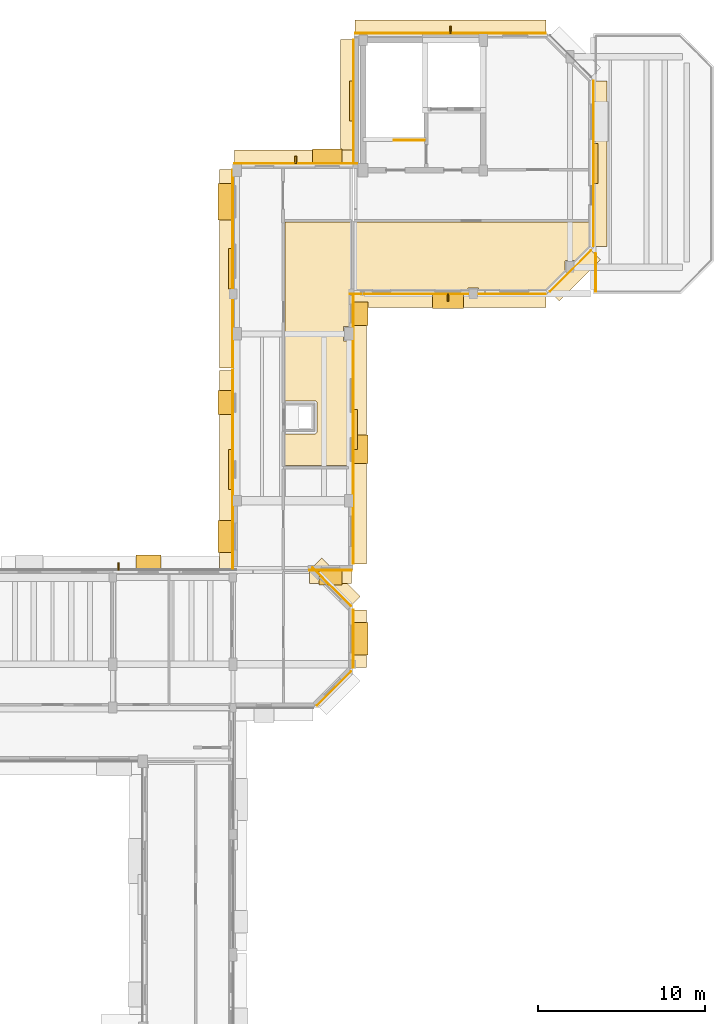
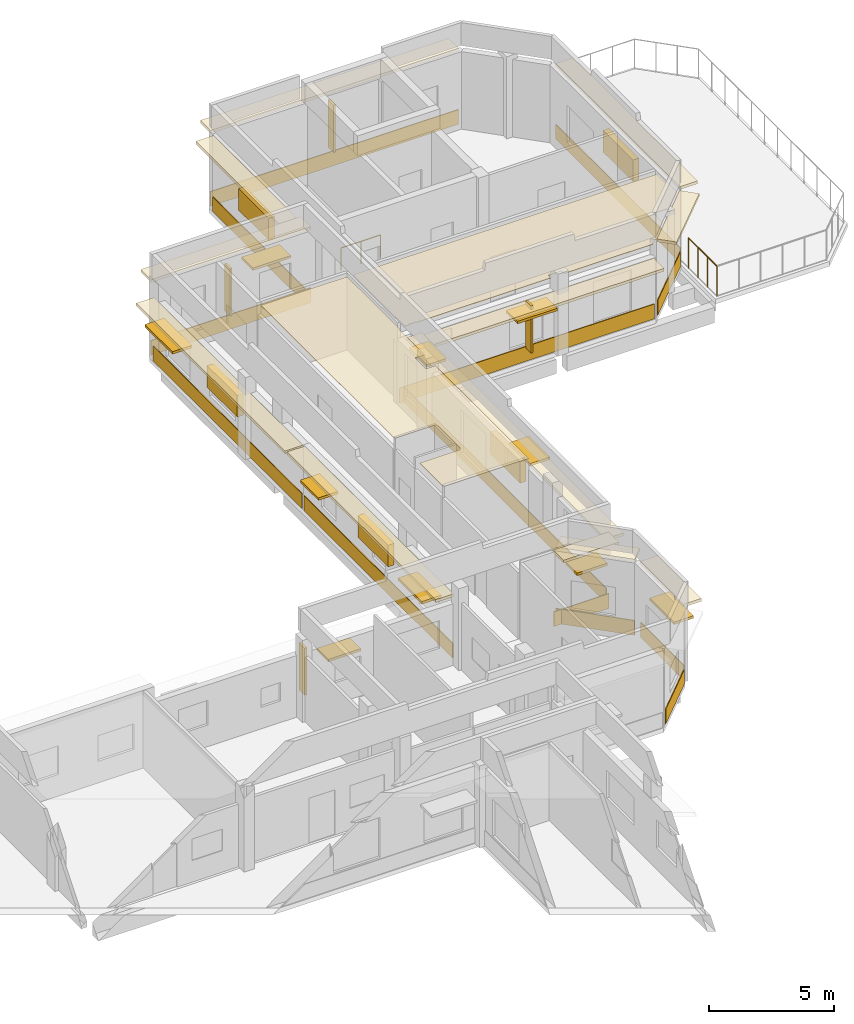
# One storey, part 16 of 17: 27 coverings, 19 shading devices, 2 railings.
"""IFC4 building model written with IfcOpenShell, lengths in metres."""

from ifc_helpers import new_model, si_unit, direction, frame, origin, origin_2d, place, context, subcontext, project, spatial, polyline, rectangle, circle, outline, extrude, material, layer, layer_set, type_object, element, save


model = new_model("IFC4")

# Units and contexts
model_context = context("Model", 3, precision=1e-05, world=origin(), true_north=direction((0.0, 1.0)))
body_context = subcontext(model_context, "Body", "Model", "MODEL_VIEW")
ifc_project = project(units=[si_unit("LENGTHUNIT", "METRE"), si_unit("AREAUNIT", "SQUARE_METRE"), si_unit("VOLUMEUNIT", "CUBIC_METRE"), si_unit("PLANEANGLEUNIT", "RADIAN"), si_unit("MASSUNIT", "GRAM", prefix="KILO")], contexts=[model_context])

# Site, building, storey
site_placement = place(None, origin())
site = spatial("IfcSite", under=ifc_project, at=site_placement, CompositionType="ELEMENT")
building_placement = place(site_placement, origin())
building = spatial("IfcBuilding", under=site, at=building_placement, Name="Kelanivale Promenade Academy", CompositionType="ELEMENT")
storey_placement = place(building_placement, frame((0.0, 0.0, 20.199951171875)))
storey = spatial("IfcBuildingStorey", under=building, at=storey_placement, Name="L05", CompositionType="ELEMENT", Elevation=20.199951171875)

# Coverings
ifc_material_1 = material(Name="Warm ivory Art Deco stucco frieze band 40 mm", Category="masonry")
ifc_layer_1 = layer(ifc_material_1, 0.0400390625)
ifc_layer_set_1 = layer_set([ifc_layer_1], Name="Warm ivory Art Deco stucco frieze band 40 mm")
covering_type_1 = type_object("IfcCoveringType", Name="COV-CLD2 Warm ivory Art Deco stucco frieze ba", PredefinedType="CLADDING", material=ifc_layer_set_1)
covering_1_placement = place(storey_placement, frame((121.656005859375, 72.743896484375, 0.06005859375), z_axis=(0.0, 0.0, 1.0), x_axis=(0.707106781187, 0.707106781187, 0.0)))
element("IfcCovering", 1, at=covering_1_placement, inside=storey, type_object=covering_type_1, Name="Art Deco ivory stucco sill frieze band", PredefinedType="CLADDING", context=body_context, shape_type="SweptSolid", body=[
    extrude(rectangle(XDim=2.865966796875, YDim=0.0400390625, at=origin_2d()), origin(), (0.0, 0.0, 1.0), 0.719970703125),
])
covering_2_placement = place(storey_placement, frame((123.199951171875, 75.72509765625, 3.6201171875), z_axis=(0.0, 0.0, 1.0), x_axis=(0.0, 1.0, 0.0)))
element("IfcCovering", 2, at=covering_2_placement, inside=storey, type_object=covering_type_1, Name="Art Deco projecting 820 mm streamline sunshade eyebrow ledge", PredefinedType="CLADDING", context=body_context, shape_type="SweptSolid", body=[
    extrude(rectangle(XDim=3.466064453125, YDim=0.820068359375, at=origin_2d()), origin(), (0.0, 0.0, 1.0), 0.139892578125),
])
covering_3_placement = place(storey_placement, frame((122.81494140625, 75.72509765625, 0.06005859375), z_axis=(0.0, 0.0, 1.0), x_axis=(0.0, 1.0, 0.0)))
element("IfcCovering", 3, at=covering_3_placement, inside=storey, type_object=covering_type_1, Name="Art Deco ivory stucco sill frieze band", PredefinedType="CLADDING", context=body_context, shape_type="SweptSolid", body=[
    extrude(rectangle(XDim=3.466064453125, YDim=0.0400390625, at=origin_2d()), origin(), (0.0, 0.0, 1.0), 0.719970703125),
])
covering_4_placement = place(storey_placement, frame((121.7880859375, 79.117919921875, 3.6201171875), z_axis=(0.0, 0.0, 1.0), x_axis=(-0.707106781187, 0.707106781187, 0.0)))
element("IfcCovering", 4, at=covering_4_placement, inside=storey, type_object=covering_type_1, Name="Art Deco projecting 820 mm streamline sunshade eyebrow ledge", PredefinedType="CLADDING", context=body_context, shape_type="SweptSolid", body=[
    extrude(rectangle(XDim=3.261962890625, YDim=0.820068359375, at=origin_2d()), origin(), (0.0, 0.0, 1.0), 0.139892578125),
])
covering_5_placement = place(storey_placement, frame((121.51611328125, 78.845947265625, 0.06005859375), z_axis=(0.0, 0.0, 1.0), x_axis=(-0.707106781187, 0.707106781187, 0.0)))
element("IfcCovering", 5, at=covering_5_placement, inside=storey, type_object=covering_type_1, Name="Art Deco ivory stucco sill frieze band", PredefinedType="CLADDING", context=body_context, shape_type="SweptSolid", body=[
    extrude(rectangle(XDim=3.261962890625, YDim=0.0400390625, at=origin_2d()), origin(), (0.0, 0.0, 1.0), 0.719970703125),
])
covering_6_placement = place(storey_placement, frame((121.447998046875, 79.449951171875, 3.6201171875), z_axis=(0.0, 0.0, 1.0), x_axis=(1.0, 0.0, 0.0)))
element("IfcCovering", 6, at=covering_6_placement, inside=storey, type_object=covering_type_1, Name="Art Deco projecting 820 mm streamline sunshade eyebrow ledge", PredefinedType="CLADDING", context=body_context, shape_type="SweptSolid", body=[
    extrude(rectangle(XDim=2.5439453125, YDim=0.820068359375, at=origin_2d()), origin(), (0.0, 0.0, 1.0), 0.139892578125),
])
covering_7_placement = place(storey_placement, frame((121.447998046875, 79.8349609375, 0.06005859375), z_axis=(0.0, 0.0, 1.0), x_axis=(1.0, 0.0, 0.0)))
element("IfcCovering", 7, at=covering_7_placement, inside=storey, type_object=covering_type_1, Name="Art Deco ivory stucco sill frieze band", PredefinedType="CLADDING", context=body_context, shape_type="SweptSolid", body=[
    extrude(rectangle(XDim=2.5439453125, YDim=0.0400390625, at=origin_2d()), origin(), (0.0, 0.0, 1.0), 0.719970703125),
])
covering_8_placement = place(storey_placement, frame((123.199951171875, 88.264892578125, 3.044921875), z_axis=(0.0, 0.0, 1.0), x_axis=(0.0, 1.0, 0.0)))
element("IfcCovering", 8, at=covering_8_placement, inside=storey, type_object=covering_type_1, Name="Art Deco projecting 820 mm streamline sunshade eyebrow ledge", PredefinedType="CLADDING", context=body_context, shape_type="SweptSolid", body=[
    extrude(rectangle(XDim=16.110107421875, YDim=0.820068359375, at=origin_2d()), origin(), (0.0, 0.0, 1.0), 0.139892578125),
])
covering_9_placement = place(storey_placement, frame((122.81494140625, 88.264892578125, 0.06005859375), z_axis=(0.0, 0.0, 1.0), x_axis=(0.0, 1.0, 0.0)))
element("IfcCovering", 9, at=covering_9_placement, inside=storey, type_object=covering_type_1, Name="Art Deco ivory stucco sill frieze band", PredefinedType="CLADDING", context=body_context, shape_type="SweptSolid", body=[
    extrude(rectangle(XDim=16.110107421875, YDim=0.0400390625, at=origin_2d()), origin(), (0.0, 0.0, 1.0), 0.719970703125),
])
covering_10_placement = place(storey_placement, frame((128.47998046875, 96.0, 2.84521484375), z_axis=(0.0, 0.0, 1.0), x_axis=(1.0, 0.0, 0.0)))
element("IfcCovering", 10, at=covering_10_placement, inside=storey, type_object=covering_type_1, Name="Art Deco projecting 820 mm streamline sunshade eyebrow ledge", PredefinedType="CLADDING", context=body_context, shape_type="SweptSolid", body=[
    extrude(rectangle(XDim=11.759033203125, YDim=0.820068359375, at=origin_2d()), origin(), (0.0, 0.0, 1.0), 0.139892578125),
])
covering_11_placement = place(storey_placement, frame((128.47998046875, 96.385009765625, 0.06005859375), z_axis=(0.0, 0.0, 1.0), x_axis=(1.0, 0.0, 0.0)))
element("IfcCovering", 11, at=covering_11_placement, inside=storey, type_object=covering_type_1, Name="Art Deco ivory stucco sill frieze band", PredefinedType="CLADDING", context=body_context, shape_type="SweptSolid", body=[
    extrude(rectangle(XDim=11.759033203125, YDim=0.0400390625, at=origin_2d()), origin(), (0.0, 0.0, 1.0), 0.719970703125),
])
covering_12_placement = place(storey_placement, frame((136.10302734375, 97.4970703125, 3.6201171875), z_axis=(0.0, 0.0, 1.0), x_axis=(0.707106781187, 0.707106781187, 0.0)))
element("IfcCovering", 12, at=covering_12_placement, inside=storey, type_object=covering_type_1, Name="Art Deco projecting 820 mm streamline sunshade eyebrow ledge", PredefinedType="CLADDING", context=body_context, shape_type="SweptSolid", body=[
    extrude(rectangle(XDim=3.5009765625, YDim=0.820068359375, at=origin_2d()), origin(), (0.0, 0.0, 1.0), 0.139892578125),
])
covering_13_placement = place(storey_placement, frame((135.8310546875, 97.76904296875, 0.06005859375), z_axis=(0.0, 0.0, 1.0), x_axis=(0.707106781187, 0.707106781187, 0.0)))
element("IfcCovering", 13, at=covering_13_placement, inside=storey, type_object=covering_type_1, Name="Art Deco ivory stucco sill frieze band", PredefinedType="CLADDING", context=body_context, shape_type="SweptSolid", body=[
    extrude(rectangle(XDim=3.5009765625, YDim=0.0400390625, at=origin_2d()), origin(), (0.0, 0.0, 1.0), 0.719970703125),
])
covering_14_placement = place(storey_placement, frame((137.60009765625, 104.199951171875, 3.6201171875), z_axis=(0.0, 0.0, 1.0), x_axis=(0.0, 1.0, 0.0)))
element("IfcCovering", 14, at=covering_14_placement, inside=storey, type_object=covering_type_1, Name="Art Deco projecting 820 mm streamline sunshade eyebrow ledge", PredefinedType="CLADDING", context=body_context, shape_type="SweptSolid", body=[
    extrude(rectangle(XDim=9.91796875, YDim=0.820068359375, at=origin_2d()), origin(), (0.0, 0.0, 1.0), 0.139892578125),
])
covering_15_placement = place(storey_placement, frame((137.215087890625, 104.199951171875, 0.06005859375), z_axis=(0.0, 0.0, 1.0), x_axis=(0.0, 1.0, 0.0)))
element("IfcCovering", 15, at=covering_15_placement, inside=storey, type_object=covering_type_1, Name="Art Deco ivory stucco sill frieze band", PredefinedType="CLADDING", context=body_context, shape_type="SweptSolid", body=[
    extrude(rectangle(XDim=9.91796875, YDim=0.0400390625, at=origin_2d()), origin(), (0.0, 0.0, 1.0), 0.719970703125),
])
covering_16_placement = place(storey_placement, frame((128.64404296875, 112.39990234375, 3.6201171875), z_axis=(0.0, 0.0, 1.0), x_axis=(-1.0, 0.0, 0.0)))
element("IfcCovering", 16, at=covering_16_placement, inside=storey, type_object=covering_type_1, Name="Art Deco projecting 820 mm streamline sunshade eyebrow ledge", PredefinedType="CLADDING", context=body_context, shape_type="SweptSolid", body=[
    extrude(rectangle(XDim=11.428955078125, YDim=0.820068359375, at=origin_2d()), origin(), (0.0, 0.0, 1.0), 0.139892578125),
])
covering_17_placement = place(storey_placement, frame((128.64404296875, 112.014892578125, 0.06005859375), z_axis=(0.0, 0.0, 1.0), x_axis=(-1.0, 0.0, 0.0)))
element("IfcCovering", 17, at=covering_17_placement, inside=storey, type_object=covering_type_1, Name="Art Deco ivory stucco sill frieze band", PredefinedType="CLADDING", context=body_context, shape_type="SweptSolid", body=[
    extrude(rectangle(XDim=11.428955078125, YDim=0.0400390625, at=origin_2d()), origin(), (0.0, 0.0, 1.0), 0.719970703125),
])
covering_18_placement = place(storey_placement, frame((122.449951171875, 107.9599609375, 3.6201171875), z_axis=(0.0, 0.0, 1.0), x_axis=(0.0, -1.0, 0.0)))
element("IfcCovering", 18, at=covering_18_placement, inside=storey, type_object=covering_type_1, Name="Art Deco projecting 820 mm streamline sunshade eyebrow ledge", PredefinedType="CLADDING", context=body_context, shape_type="SweptSolid", body=[
    extrude(rectangle(XDim=7.360107421875, YDim=0.820068359375, at=origin_2d()), origin(), (0.0, 0.0, 1.0), 0.139892578125),
])
covering_19_placement = place(storey_placement, frame((122.8349609375, 107.9599609375, 0.06005859375), z_axis=(0.0, 0.0, 1.0), x_axis=(0.0, -1.0, 0.0)))
element("IfcCovering", 19, at=covering_19_placement, inside=storey, type_object=covering_type_1, Name="Art Deco ivory stucco sill frieze band", PredefinedType="CLADDING", context=body_context, shape_type="SweptSolid", body=[
    extrude(rectangle(XDim=7.360107421875, YDim=0.0400390625, at=origin_2d()), origin(), (0.0, 0.0, 1.0), 0.719970703125),
])
covering_20_placement = place(storey_placement, frame((119.364990234375, 104.60009765625, 3.6201171875), z_axis=(0.0, 0.0, 1.0), x_axis=(-1.0, 0.0, 0.0)))
element("IfcCovering", 20, at=covering_20_placement, inside=storey, type_object=covering_type_1, Name="Art Deco projecting 820 mm streamline sunshade eyebrow ledge", PredefinedType="CLADDING", context=body_context, shape_type="SweptSolid", body=[
    extrude(rectangle(XDim=7.3701171875, YDim=0.820068359375, at=origin_2d()), origin(), (0.0, 0.0, 1.0), 0.139892578125),
])
covering_21_placement = place(storey_placement, frame((119.364990234375, 104.215087890625, 0.06005859375), z_axis=(0.0, 0.0, 1.0), x_axis=(-1.0, 0.0, 0.0)))
element("IfcCovering", 21, at=covering_21_placement, inside=storey, type_object=covering_type_1, Name="Art Deco ivory stucco sill frieze band", PredefinedType="CLADDING", context=body_context, shape_type="SweptSolid", body=[
    extrude(rectangle(XDim=7.3701171875, YDim=0.0400390625, at=origin_2d()), origin(), (0.0, 0.0, 1.0), 0.719970703125),
])
covering_22_placement = place(storey_placement, frame((115.199951171875, 97.903076171875, 2.9951171875), z_axis=(0.0, 0.0, 1.0), x_axis=(0.0, -1.0, 0.0)))
element("IfcCovering", 22, at=covering_22_placement, inside=storey, type_object=covering_type_1, Name="Art Deco projecting 820 mm streamline sunshade eyebrow ledge", PredefinedType="CLADDING", context=body_context, shape_type="SweptSolid", body=[
    extrude(rectangle(XDim=11.875, YDim=0.820068359375, at=origin_2d()), origin(), (0.0, 0.0, 1.0), 0.139892578125),
])
covering_23_placement = place(storey_placement, frame((115.5849609375, 97.903076171875, 0.06005859375), z_axis=(0.0, 0.0, 1.0), x_axis=(0.0, -1.0, 0.0)))
element("IfcCovering", 23, at=covering_23_placement, inside=storey, type_object=covering_type_1, Name="Art Deco ivory stucco sill frieze band", PredefinedType="CLADDING", context=body_context, shape_type="SweptSolid", body=[
    extrude(rectangle(XDim=11.875, YDim=0.0400390625, at=origin_2d()), origin(), (0.0, 0.0, 1.0), 0.719970703125),
])
covering_24_placement = place(storey_placement, frame((115.199951171875, 85.867919921875, 3.044921875), z_axis=(0.0, 0.0, 1.0), x_axis=(0.0, -1.0, 0.0)))
element("IfcCovering", 24, at=covering_24_placement, inside=storey, type_object=covering_type_1, Name="Art Deco projecting 820 mm streamline sunshade eyebrow ledge", PredefinedType="CLADDING", context=body_context, shape_type="SweptSolid", body=[
    extrude(rectangle(XDim=11.875, YDim=0.820068359375, at=origin_2d()), origin(), (0.0, 0.0, 1.0), 0.139892578125),
])
covering_25_placement = place(storey_placement, frame((115.5849609375, 85.867919921875, 0.06005859375), z_axis=(0.0, 0.0, 1.0), x_axis=(0.0, -1.0, 0.0)))
element("IfcCovering", 25, at=covering_25_placement, inside=storey, type_object=covering_type_1, Name="Art Deco ivory stucco sill frieze band", PredefinedType="CLADDING", context=body_context, shape_type="SweptSolid", body=[
    extrude(rectangle(XDim=11.875, YDim=0.0400390625, at=origin_2d()), origin(), (0.0, 0.0, 1.0), 0.719970703125),
])
ifc_material_2 = material(Name="Acoustic mineral-fibre ceiling tile 25 mm", Category="gypsum")
ifc_layer_2 = layer(ifc_material_2, 0.02490234375)
ifc_layer_set_2 = layer_set([ifc_layer_2], Name="Acoustic mineral-fibre ceiling tile 25 mm")
covering_type_2 = type_object("IfcCoveringType", Name="COV-CLG1 Acoustic mineral-fibre ceiling tile ", PredefinedType="CEILING", material=ifc_layer_set_2)
covering_26_placement = place(storey_placement, frame((0.0, 0.0, 3.550048828125)))
element("IfcCovering", 26, at=covering_26_placement, inside=storey, type_object=covering_type_2, Name="Research Instrument Studio acoustic suspended ceiling", PredefinedType="CEILING", context=body_context, shape_type="SweptSolid", body=[
    extrude(outline(polyline([(122.6640625, 96.423095703125), (122.666015625, 96.428955078125), (122.6708984375, 96.43994140625), (122.675048828125, 96.447998046875), (122.680908203125, 96.4580078125), (122.68701171875, 96.466064453125), (122.68994140625, 96.469970703125), (122.68994140625, 100.68994140625), (118.7099609375, 100.68994140625), (118.7099609375, 89.989990234375), (120.506103515625, 89.989990234375), (120.512939453125, 89.989990234375), (120.51904296875, 89.989013671875), (120.52490234375, 89.988037109375), (120.533935546875, 89.986083984375), (120.5419921875, 89.98291015625), (120.544921875, 89.98193359375), (120.548095703125, 89.98095703125), (120.552978515625, 89.97900390625), (120.55810546875, 89.97705078125), (120.56396484375, 89.97509765625), (120.569091796875, 89.971923828125), (120.573974609375, 89.968994140625), (120.5830078125, 89.9619140625), (120.587890625, 89.9580078125), (120.594970703125, 89.952880859375), (120.59912109375, 89.948974609375), (120.60302734375, 89.945068359375), (120.60791015625, 89.93798828125), (120.612060546875, 89.93310546875), (120.618896484375, 89.924072265625), (120.6220703125, 89.9189453125), (120.625, 89.9140625), (120.626953125, 89.907958984375), (120.62890625, 89.903076171875), (120.631103515625, 89.89794921875), (120.632080078125, 89.89501953125), (120.633056640625, 89.89208984375), (120.635986328125, 89.884033203125), (120.637939453125, 89.875), (120.638916015625, 89.868896484375), (120.639892578125, 89.863037109375), (120.639892578125, 89.85595703125), (120.639892578125, 88.14404296875), (120.639892578125, 88.136962890625), (120.638916015625, 88.131103515625), (120.637939453125, 88.125), (120.635986328125, 88.115966796875), (120.633056640625, 88.10791015625), (120.632080078125, 88.10498046875), (120.631103515625, 88.10205078125), (120.62890625, 88.096923828125), (120.626953125, 88.092041015625), (120.625, 88.0859375), (120.6220703125, 88.0810546875), (120.618896484375, 88.075927734375), (120.612060546875, 88.06689453125), (120.60791015625, 88.06201171875), (120.60302734375, 88.054931640625), (120.59912109375, 88.051025390625), (120.594970703125, 88.047119140625), (120.587890625, 88.0419921875), (120.5830078125, 88.0380859375), (120.573974609375, 88.031005859375), (120.569091796875, 88.028076171875), (120.56396484375, 88.02490234375), (120.55810546875, 88.02294921875), (120.552978515625, 88.02099609375), (120.548095703125, 88.01904296875), (120.544921875, 88.01806640625), (120.5419921875, 88.01708984375), (120.533935546875, 88.013916015625), (120.52490234375, 88.011962890625), (120.51904296875, 88.010986328125), (120.512939453125, 88.010009765625), (120.506103515625, 88.010009765625), (118.7099609375, 88.010009765625), (118.7099609375, 86.110107421875), (122.64990234375, 86.110107421875), (122.64990234375, 93.56494140625), (122.2548828125, 93.56494140625), (122.2509765625, 93.56494140625), (122.2470703125, 93.56591796875), (122.242919921875, 93.56689453125), (122.239990234375, 93.568115234375), (122.236083984375, 93.570068359375), (122.23291015625, 93.572021484375), (122.22998046875, 93.573974609375), (122.22705078125, 93.576904296875), (122.22412109375, 93.580078125), (122.221923828125, 93.5830078125), (122.219970703125, 93.5859375), (122.218017578125, 93.590087890625), (122.217041015625, 93.593017578125), (122.216064453125, 93.596923828125), (122.215087890625, 93.60107421875), (122.215087890625, 93.60498046875), (122.215087890625, 94.39501953125), (122.215087890625, 94.39892578125), (122.216064453125, 94.403076171875), (122.217041015625, 94.406982421875), (122.218017578125, 94.409912109375), (122.219970703125, 94.4140625), (122.221923828125, 94.4169921875), (122.22412109375, 94.419921875), (122.22705078125, 94.423095703125), (122.22998046875, 94.426025390625), (122.23291015625, 94.427978515625), (122.236083984375, 94.429931640625), (122.239990234375, 94.431884765625), (122.242919921875, 94.43310546875), (122.2470703125, 94.43408203125), (122.2509765625, 94.43505859375), (122.2548828125, 94.43505859375), (122.64990234375, 94.43505859375), (122.64990234375, 96.35009765625), (122.64990234375, 96.35693359375), (122.65087890625, 96.368896484375), (122.65087890625, 96.368896484375), (122.652099609375, 96.3798828125), (122.653076171875, 96.385986328125), (122.654052734375, 96.39208984375), (122.656982421875, 96.404052734375), (122.659912109375, 96.412109375), (122.6640625, 96.423095703125)])), origin(), (0.0, 0.0, 1.0), 0.02490234375),
])
covering_27_placement = place(storey_placement, frame((0.0, 0.0, 3.550048828125)))
element("IfcCovering", 27, at=covering_27_placement, inside=storey, type_object=covering_type_2, Name="Chemistry Research Laboratory acoustic suspended ceiling", PredefinedType="CEILING", context=body_context, shape_type="SweptSolid", body=[
    extrude(outline(polyline([(134.37890625, 96.550048828125), (135.489990234375, 97.660888671875), (135.489990234375, 98.344970703125), (135.489990234375, 98.34912109375), (135.490966796875, 98.35302734375), (135.491943359375, 98.35693359375), (135.492919921875, 98.360107421875), (135.4951171875, 98.364013671875), (135.4970703125, 98.366943359375), (135.4990234375, 98.3701171875), (135.501953125, 98.373046875), (135.5048828125, 98.3759765625), (135.508056640625, 98.3779296875), (135.510986328125, 98.3798828125), (135.514892578125, 98.382080078125), (135.51806640625, 98.383056640625), (135.52197265625, 98.384033203125), (135.52587890625, 98.385009765625), (135.530029296875, 98.385009765625), (136.070068359375, 98.385009765625), (136.073974609375, 98.385009765625), (136.077880859375, 98.384033203125), (136.08203125, 98.383056640625), (136.0849609375, 98.382080078125), (136.089111328125, 98.3798828125), (136.092041015625, 98.3779296875), (136.094970703125, 98.3759765625), (136.097900390625, 98.373046875), (136.10107421875, 98.3701171875), (136.10302734375, 98.366943359375), (136.10498046875, 98.364013671875), (136.10693359375, 98.360107421875), (136.10791015625, 98.35693359375), (136.10888671875, 98.35302734375), (136.110107421875, 98.34912109375), (136.110107421875, 98.344970703125), (136.110107421875, 98.281005859375), (137.050048828125, 99.220947265625), (137.050048828125, 100.68994140625), (122.9599609375, 100.68994140625), (122.9599609375, 96.550048828125), (123.1630859375, 96.550048828125), (123.1630859375, 96.551025390625), (123.1630859375, 96.554931640625), (123.1640625, 96.55908203125), (123.166015625, 96.56201171875), (123.1669921875, 96.56591796875), (123.1689453125, 96.569091796875), (123.172119140625, 96.572021484375), (123.174072265625, 96.574951171875), (123.177001953125, 96.577880859375), (123.179931640625, 96.580078125), (123.18408203125, 96.58203125), (123.18701171875, 96.583984375), (123.19091796875, 96.5849609375), (123.195068359375, 96.5859375), (123.198974609375, 96.5869140625), (123.202880859375, 96.5869140625), (123.4970703125, 96.5869140625), (123.5009765625, 96.5869140625), (123.5048828125, 96.5859375), (123.509033203125, 96.5849609375), (123.512939453125, 96.583984375), (123.51611328125, 96.58203125), (123.52001953125, 96.580078125), (123.52294921875, 96.577880859375), (123.52587890625, 96.574951171875), (123.528076171875, 96.572021484375), (123.531005859375, 96.569091796875), (123.532958984375, 96.56591796875), (123.533935546875, 96.56201171875), (123.535888671875, 96.55908203125), (123.537109375, 96.554931640625), (123.537109375, 96.551025390625), (123.537109375, 96.550048828125), (129.68994140625, 96.550048828125), (129.68994140625, 96.719970703125), (129.68994140625, 96.72412109375), (129.69091796875, 96.72802734375), (129.69189453125, 96.73193359375), (129.693115234375, 96.735107421875), (129.695068359375, 96.739013671875), (129.697021484375, 96.741943359375), (129.698974609375, 96.7451171875), (129.701904296875, 96.748046875), (129.705078125, 96.7509765625), (129.7080078125, 96.7529296875), (129.7109375, 96.7548828125), (129.715087890625, 96.757080078125), (129.718017578125, 96.758056640625), (129.721923828125, 96.759033203125), (129.72607421875, 96.760009765625), (129.72998046875, 96.760009765625), (130.27001953125, 96.760009765625), (130.27392578125, 96.760009765625), (130.278076171875, 96.759033203125), (130.281982421875, 96.758056640625), (130.284912109375, 96.757080078125), (130.2890625, 96.7548828125), (130.2919921875, 96.7529296875), (130.294921875, 96.7509765625), (130.298095703125, 96.748046875), (130.301025390625, 96.7451171875), (130.302978515625, 96.741943359375), (130.304931640625, 96.739013671875), (130.306884765625, 96.735107421875), (130.30810546875, 96.73193359375), (130.30908203125, 96.72802734375), (130.31005859375, 96.72412109375), (130.31005859375, 96.719970703125), (130.31005859375, 96.550048828125), (134.37890625, 96.550048828125)])), origin(), (0.0, 0.0, 1.0), 0.02490234375),
])

# Railings
ifc_material_3 = material(Name="Brushed stainless steel grade 316", Category="steel")
railing_type_1 = type_object("IfcRailingType", Name="GR-01 Stair Guard 1100mm", PredefinedType="BALUSTRADE", material=ifc_material_3)
railing_1_placement = place(storey_placement, frame((127.06494140625, 105.60498046875, 0.0)))
element("IfcRailing", 28, at=railing_1_placement, inside=storey, type_object=railing_type_1, Name="L05 ST-05 top well guard 1", PredefinedType="BALUSTRADE", context=body_context, shape_type="SweptSolid", body=[
    extrude(circle(Radius=0.02392578125, at=origin_2d()), frame((0.0, 0.0, 1.09619140625), z_axis=(-1.0, 0.0, 0.0), x_axis=(0.0, -1.0, 0.0)), (0.0, 0.0, 1.0), 1.81005859375),
    extrude(circle(Radius=0.02099609375, at=origin_2d()), origin(), (0.0, 0.0, 1.0), 1.072021484375),
    extrude(circle(Radius=0.02099609375, at=origin_2d()), frame((-0.905029296875, 0.0, 0.0)), (0.0, 0.0, 1.0), 1.072021484375),
    extrude(circle(Radius=0.02099609375, at=origin_2d()), frame((-1.81005859375, 0.0, 0.0)), (0.0, 0.0, 1.0), 1.072021484375),
])
ifc_material_4 = material(Name="Powder-coated galvanized steel and stainless top rail", Category="steel")
railing_type_2 = type_object("IfcRailingType", Name="GR-02 Play Deck Balustrade 1500mm", PredefinedType="BALUSTRADE", material=ifc_material_4)
railing_2_placement = place(storey_placement, frame((137.340087890625, 96.5400390625, 0.0)))
element("IfcRailing", 29, at=railing_2_placement, inside=storey, type_object=railing_type_2, Name="Science Roof Observation Play Deck 1500 mm safety balustrade", PredefinedType="BALUSTRADE", context=body_context, shape_type="SweptSolid", body=[
    extrude(circle(Radius=0.02392578125, at=origin_2d()), frame((0.0, 0.0, 1.47607421875), z_axis=(0.0, 1.0, 0.0), x_axis=(-1.0, 0.0, 0.0)), (0.0, 0.0, 1.0), 2.263916015625),
    extrude(circle(Radius=0.02099609375, at=origin_2d()), origin(), (0.0, 0.0, 1.0), 1.451904296875),
    extrude(circle(Radius=0.02099609375, at=origin_2d()), frame((0.0, 0.754638671875, 0.0)), (0.0, 0.0, 1.0), 1.451904296875),
    extrude(circle(Radius=0.02099609375, at=origin_2d()), frame((0.0, 1.50927734375, 0.0)), (0.0, 0.0, 1.0), 1.451904296875),
    extrude(circle(Radius=0.02099609375, at=origin_2d()), frame((0.0, 2.263916015625, 0.0)), (0.0, 0.0, 1.0), 1.451904296875),
])

# Shading devices
ifc_material_5 = material(Name="Precast concrete C40/50", Category="concrete")
ifc_layer_3 = layer(ifc_material_5, 0.1201171875)
ifc_layer_set_3 = layer_set([ifc_layer_3], Name="Precast concrete C40/50")
shading_device_type_1 = type_object("IfcShadingDeviceType", Name="SHD-01 Art Deco Sunshade Eyebrow 900mm", PredefinedType="USERDEFINED", material=ifc_layer_set_3)
shading_device_1_placement = place(storey_placement, frame((123.239990234375, 75.72509765625, 2.31005859375), z_axis=(0.0, 0.0, 1.0), x_axis=(0.0, 1.0, 0.0)))
element("IfcShadingDevice", 30, at=shading_device_1_placement, inside=storey, type_object=shading_device_type_1, Name="Art Deco 900 mm precast chajja window sunshade", ObjectType="SUNSHADE", PredefinedType="USERDEFINED", context=body_context, shape_type="SweptSolid", body=[
    extrude(rectangle(XDim=1.949951171875, YDim=0.89990234375, at=origin_2d()), origin(), (0.0, 0.0, 1.0), 0.1201171875),
])
shading_device_2_placement = place(storey_placement, frame((121.447998046875, 79.409912109375, 2.860107421875), z_axis=(0.0, 0.0, 1.0), x_axis=(1.0, 0.0, 0.0)))
element("IfcShadingDevice", 31, at=shading_device_2_placement, inside=storey, type_object=shading_device_type_1, Name="Art Deco 900 mm precast chajja window sunshade", ObjectType="SUNSHADE", PredefinedType="USERDEFINED", context=body_context, shape_type="SweptSolid", body=[
    extrude(rectangle(XDim=1.39990234375, YDim=0.89990234375, at=origin_2d()), origin(), (0.0, 0.0, 1.0), 0.1201171875),
])
shading_device_3_placement = place(storey_placement, frame((123.239990234375, 87.0810546875, 3.074951171875), z_axis=(0.0, 0.0, 1.0), x_axis=(0.0, 1.0, 0.0)))
element("IfcShadingDevice", 32, at=shading_device_3_placement, inside=storey, type_object=shading_device_type_1, Name="Art Deco 900 mm precast chajja window sunshade", ObjectType="SUNSHADE", PredefinedType="USERDEFINED", context=body_context, shape_type="SweptSolid", body=[
    extrude(rectangle(XDim=1.699951171875, YDim=0.89990234375, at=origin_2d()), origin(), (0.0, 0.0, 1.0), 0.1201171875),
])
shading_device_4_placement = place(storey_placement, frame((123.239990234375, 95.216064453125, 2.860107421875), z_axis=(0.0, 0.0, 1.0), x_axis=(0.0, 1.0, 0.0)))
element("IfcShadingDevice", 33, at=shading_device_4_placement, inside=storey, type_object=shading_device_type_1, Name="Art Deco 900 mm precast chajja window sunshade", ObjectType="SUNSHADE", PredefinedType="USERDEFINED", context=body_context, shape_type="SweptSolid", body=[
    extrude(rectangle(XDim=1.39990234375, YDim=0.89990234375, at=origin_2d()), origin(), (0.0, 0.0, 1.0), 0.1201171875),
])
shading_device_5_placement = place(storey_placement, frame((128.47900390625, 95.9599609375, 2.7099609375), z_axis=(0.0, 0.0, 1.0), x_axis=(1.0, 0.0, 0.0)))
element("IfcShadingDevice", 34, at=shading_device_5_placement, inside=storey, type_object=shading_device_type_1, Name="Art Deco 900 mm precast chajja window sunshade", ObjectType="SUNSHADE", PredefinedType="USERDEFINED", context=body_context, shape_type="SweptSolid", body=[
    extrude(rectangle(XDim=1.85009765625, YDim=0.89990234375, at=origin_2d()), origin(), (0.0, 0.0, 1.0), 0.1201171875),
])
shading_device_6_placement = place(storey_placement, frame((121.2470703125, 104.639892578125, 2.56005859375), z_axis=(0.0, 0.0, 1.0), x_axis=(-1.0, 0.0, 0.0)))
element("IfcShadingDevice", 35, at=shading_device_6_placement, inside=storey, type_object=shading_device_type_1, Name="Art Deco 900 mm precast chajja window sunshade", ObjectType="SUNSHADE", PredefinedType="USERDEFINED", context=body_context, shape_type="SweptSolid", body=[
    extrude(rectangle(XDim=1.75, YDim=0.89990234375, at=origin_2d()), origin(), (0.0, 0.0, 1.0), 0.1201171875),
])
shading_device_7_placement = place(storey_placement, frame((115.159912109375, 101.9140625, 2.510009765625), z_axis=(0.0, 0.0, 1.0), x_axis=(0.0, -1.0, 0.0)))
element("IfcShadingDevice", 36, at=shading_device_7_placement, inside=storey, type_object=shading_device_type_1, Name="Art Deco 900 mm precast chajja window sunshade", ObjectType="SUNSHADE", PredefinedType="USERDEFINED", context=body_context, shape_type="SweptSolid", body=[
    extrude(rectangle(XDim=2.199951171875, YDim=0.89990234375, at=origin_2d()), origin(), (0.0, 0.0, 1.0), 0.1201171875),
])
shading_device_8_placement = place(storey_placement, frame((115.159912109375, 89.87890625, 2.4599609375), z_axis=(0.0, 0.0, 1.0), x_axis=(0.0, -1.0, 0.0)))
element("IfcShadingDevice", 37, at=shading_device_8_placement, inside=storey, type_object=shading_device_type_1, Name="Art Deco 900 mm precast chajja window sunshade", ObjectType="SUNSHADE", PredefinedType="USERDEFINED", context=body_context, shape_type="SweptSolid", body=[
    extrude(rectangle(XDim=1.449951171875, YDim=0.89990234375, at=origin_2d()), origin(), (0.0, 0.0, 1.0), 0.1201171875),
])
shading_device_9_placement = place(storey_placement, frame((115.159912109375, 81.85595703125, 2.409912109375), z_axis=(0.0, 0.0, 1.0), x_axis=(0.0, -1.0, 0.0)))
element("IfcShadingDevice", 38, at=shading_device_9_placement, inside=storey, type_object=shading_device_type_1, Name="Art Deco 900 mm precast chajja window sunshade", ObjectType="SUNSHADE", PredefinedType="USERDEFINED", context=body_context, shape_type="SweptSolid", body=[
    extrude(rectangle(XDim=1.89990234375, YDim=0.89990234375, at=origin_2d()), origin(), (0.0, 0.0, 1.0), 0.1201171875),
])
shading_device_10_placement = place(storey_placement, frame((110.533935546875, 80.2900390625, 1.9599609375), z_axis=(0.0, 0.0, 1.0), x_axis=(-1.0, 0.0, 0.0)))
element("IfcShadingDevice", 39, at=shading_device_10_placement, inside=storey, type_object=shading_device_type_1, Name="Art Deco 900 mm precast chajja window sunshade", ObjectType="SUNSHADE", PredefinedType="USERDEFINED", context=body_context, shape_type="SweptSolid", body=[
    extrude(rectangle(XDim=1.5, YDim=0.89990234375, at=origin_2d()), origin(), (0.0, 0.0, 1.0), 0.1201171875),
])
ifc_material_6 = material(Name="Bronze anodised aluminium EN AW-6063 T6", Category="aluminium")
ifc_layer_4 = layer(ifc_material_6, 0.080078125)
ifc_layer_set_4 = layer_set([ifc_layer_4], Name="Bronze anodised aluminium EN AW-6063 T6")
shading_device_type_2 = type_object("IfcShadingDeviceType", Name="SHD-02 Perforated Brise-Soleil Screen", PredefinedType="JALOUSIE", material=ifc_layer_set_4)
for number, where, z_axis, x_axis, name in (
    (40, (122.93505859375, 88.264892578125, 1.72509765625), (0.0, 0.0, 1.0), (0.0, 1.0, 0.0), "Perforated Art Deco brise-soleil louvre screen"),
    (41, (137.3349609375, 104.199951171875, 1.72509765625), (0.0, 0.0, 1.0), (0.0, 1.0, 0.0), "Perforated Art Deco brise-soleil louvre screen"),
    (42, (122.715087890625, 107.9599609375, 1.72509765625), (0.0, 0.0, 1.0), (0.0, -1.0, 0.0), "Perforated Art Deco brise-soleil louvre screen"),
    (43, (115.465087890625, 97.903076171875, 1.72509765625), (0.0, 0.0, 1.0), (0.0, -1.0, 0.0), "Perforated Art Deco brise-soleil louvre screen"),
    (44, (115.465087890625, 85.867919921875, 1.72509765625), (0.0, 0.0, 1.0), (0.0, -1.0, 0.0), "Perforated Art Deco brise-soleil louvre screen"),
):
    element("IfcShadingDevice", number, at=place(storey_placement, frame(where, z_axis=z_axis, x_axis=x_axis)), inside=storey, type_object=shading_device_type_2, Name=name, PredefinedType="JALOUSIE", context=body_context, shape_type="SweptSolid", body=[
        extrude(rectangle(XDim=2.39990234375, YDim=0.280029296875, at=origin_2d()), origin(), (0.0, 0.0, 1.0), 1.050048828125),
    ])
ifc_layer_5 = layer(ifc_material_6, 0.10009765625)
ifc_layer_set_5 = layer_set([ifc_layer_5], Name="Bronze anodised aluminium EN AW-6063 T6")
shading_device_type_3 = type_object("IfcShadingDeviceType", Name="SHD-03 Vertical Fluted Solar Fin", PredefinedType="USERDEFINED", material=ifc_layer_set_5)
for number, where, z_axis, x_axis, name in (
    (45, (128.47998046875, 96.179931640625, 0.7001953125), (0.0, 0.0, 1.0), (1.0, 0.0, 0.0), "Vertical fluted Art Deco solar fin"),
    (46, (128.64404296875, 112.219970703125, 0.7001953125), (0.0, 0.0, 1.0), (-1.0, 0.0, 0.0), "Vertical fluted Art Deco solar fin"),
    (47, (119.364990234375, 104.419921875, 0.7001953125), (0.0, 0.0, 1.0), (-1.0, 0.0, 0.0), "Vertical fluted Art Deco solar fin"),
    (48, (108.7509765625, 80.070068359375, 0.7001953125), (0.0, 0.0, 1.0), (-1.0, 0.0, 0.0), "Vertical fluted Art Deco solar fin"),
):
    element("IfcShadingDevice", number, at=place(storey_placement, frame(where, z_axis=z_axis, x_axis=x_axis)), inside=storey, type_object=shading_device_type_3, Name=name, ObjectType="SOLAR FIN", PredefinedType="USERDEFINED", context=body_context, shape_type="SweptSolid", body=[
        extrude(rectangle(XDim=0.10009765625, YDim=0.449951171875, at=origin_2d()), origin(), (0.0, 0.0, 1.0), 2.300048828125),
    ])

save(model, "model.ifc")
